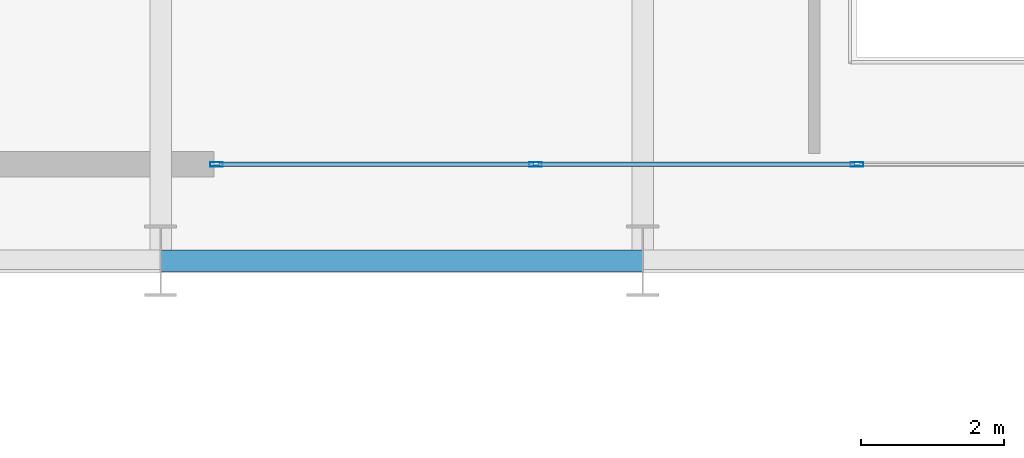
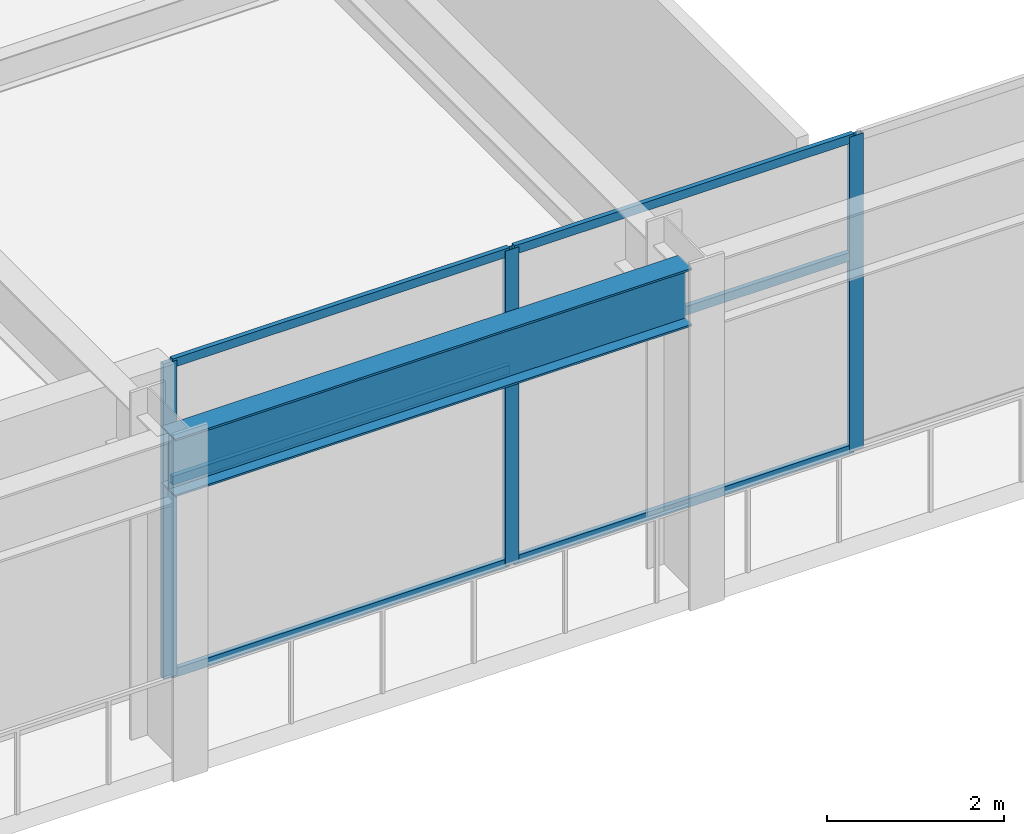
# One storey, part 4 of 35: 9 members, 1 beam, 1 element without a shape of its own.
"""IFC4 building model written with IfcOpenShell, lengths in metres."""

from ifc_helpers import new_model, si_unit, direction, frame, origin, origin_2d, place, context, subcontext, project, spatial, hollow_rectangle, i_section, extrude, material, layer, layer_set, material_profile, profile_set, type_object, element, aggregate, save


model = new_model("IFC4")

# Units and contexts
model_context = context("Model", 3, precision=1e-05, world=origin(), true_north=direction((0.0, 1.0)))
body_context = subcontext(model_context, "Body", "Model", "MODEL_VIEW")
ifc_project = project(units=[si_unit("LENGTHUNIT", "METRE"), si_unit("AREAUNIT", "SQUARE_METRE"), si_unit("VOLUMEUNIT", "CUBIC_METRE"), si_unit("PLANEANGLEUNIT", "RADIAN"), si_unit("MASSUNIT", "GRAM", prefix="KILO")], contexts=[model_context])

# Site, building, storey
site_placement = place(None, origin())
site = spatial("IfcSite", under=ifc_project, at=site_placement, CompositionType="ELEMENT")
building_placement = place(site_placement, origin())
building = spatial("IfcBuilding", under=site, at=building_placement, Name="Haevon Station Towers", CompositionType="ELEMENT")
storey_placement = place(building_placement, frame((0.0, 0.0, 20.39990234375)))
storey = spatial("IfcBuildingStorey", under=building, at=storey_placement, Name="L04", CompositionType="ELEMENT", Elevation=20.39990234375)

# Beam
ifc_material_1 = material(Name="Steel S355", Category="steel")
ifc_material_profile_1 = material_profile(ifc_material_1, i_section(OverallWidth=0.300048828125, OverallDepth=0.800048828125, WebThickness=0.013916015625, FlangeThickness=0.02587890625, at=origin_2d()), Name="H-800x300x14x26")
ifc_profile_set_1 = profile_set([ifc_material_profile_1], Name="Steel S355")
beam_type = type_object("IfcBeamType", Name="BM-PG800", PredefinedType="BEAM", material=ifc_profile_set_1)
beam_placement = place(storey_placement, frame((44.25, 15.14990234375, 4.050048828125), z_axis=(1.0, 0.0, 0.0), x_axis=(0.0, 1.0, 0.0)))
element("IfcBeam", 1, at=beam_placement, inside=storey, type_object=beam_type, Name="BM-T1X-L04-01-05", PredefinedType="BEAM", context=body_context, shape_type="SweptSolid", body=[
    extrude(i_section(OverallWidth=0.300048828125, OverallDepth=0.800048828125, WebThickness=0.013916015625, FlangeThickness=0.02587890625, at=origin_2d()), origin(), (0.0, 0.0, 1.0), 6.75),
])

# Curtain wall, members
ifc_material_2 = material(Name="Anodised aluminium and Low-E double glazing", Category="aluminium")
ifc_layer = layer(ifc_material_2, 0.179931640625)
ifc_layer_set = layer_set([ifc_layer], Name="Anodised aluminium and Low-E double glazing")
curtain_wall_type = type_object("IfcCurtainWallType", Name="CW-SYS2", PredefinedType="NOTDEFINED", material=ifc_layer_set)
curtain_wall_placement = place(storey_placement, origin())
curtain_wall = element("IfcCurtainWall", 2, at=curtain_wall_placement, inside=storey, type_object=curtain_wall_type, Name="L04 Curtain Wall CW-POD-L04-S2", PredefinedType="NOTDEFINED")
ifc_material_3 = material(Name="Anodised aluminium 6063-T6", Category="aluminium")
ifc_material_profile_2 = material_profile(ifc_material_3, hollow_rectangle(XDim=0.06494140625, YDim=0.179931640625, WallThickness=0.00390625, at=origin_2d()), Name="CWM-180x65x4")
ifc_profile_set_2 = profile_set([ifc_material_profile_2], Name="Anodised aluminium 6063-T6")
member_type_1 = type_object("IfcMemberType", Name="CWM-180", PredefinedType="MULLION", material=ifc_profile_set_2)
member_1_placement = place(storey_placement, frame((54.0, 16.5, 0.0), z_axis=(0.0, 0.0, 1.0), x_axis=(0.0, -1.0, 0.0)))
member_1 = element("IfcMember", 3, at=member_1_placement, type_object=member_type_1, Name="CW-SYS2 mullion 2", PredefinedType="MULLION", context=body_context, shape_type="SweptSolid", body=[
    extrude(hollow_rectangle(XDim=0.06494140625, YDim=0.179931640625, WallThickness=0.00390625, at=origin_2d()), origin(), (0.0, 0.0, 1.0), 4.35009765625),
])
member_2_placement = place(storey_placement, frame((49.5, 16.5, 0.0), z_axis=(0.0, 0.0, 1.0), x_axis=(0.0, -1.0, 0.0)))
member_2 = element("IfcMember", 4, at=member_2_placement, type_object=member_type_1, Name="CW-SYS2 mullion 3", PredefinedType="MULLION", context=body_context, shape_type="SweptSolid", body=[
    extrude(hollow_rectangle(XDim=0.06494140625, YDim=0.179931640625, WallThickness=0.00390625, at=origin_2d()), origin(), (0.0, 0.0, 1.0), 4.35009765625),
])
member_3_placement = place(storey_placement, frame((45.032470703125, 16.5, 0.0), z_axis=(0.0, 0.0, 1.0), x_axis=(0.0, -1.0, 0.0)))
member_3 = element("IfcMember", 5, at=member_3_placement, type_object=member_type_1, Name="CW-SYS2 mullion 4", PredefinedType="MULLION", context=body_context, shape_type="SweptSolid", body=[
    extrude(hollow_rectangle(XDim=0.06494140625, YDim=0.179931640625, WallThickness=0.00390625, at=origin_2d()), origin(), (0.0, 0.0, 1.0), 4.35009765625),
])
ifc_material_profile_3 = material_profile(ifc_material_3, hollow_rectangle(XDim=0.06005859375, YDim=0.1201171875, WallThickness=0.0029296875, at=origin_2d()), Name="CWT-120x60x3")
ifc_profile_set_3 = profile_set([ifc_material_profile_3], Name="Anodised aluminium 6063-T6")
member_type_2 = type_object("IfcMemberType", Name="CWT-120", PredefinedType="USERDEFINED", material=ifc_profile_set_3)
member_4_placement = place(storey_placement, frame((53.967529296875, 16.5, 0.030029296875), z_axis=(-1.0, 0.0, 0.0), x_axis=(0.0, -1.0, 0.0)))
member_4 = element("IfcMember", 6, at=member_4_placement, type_object=member_type_2, Name="CW-SYS2 transom 2.1", ObjectType="TRANSOM", PredefinedType="USERDEFINED", context=body_context, shape_type="SweptSolid", body=[
    extrude(hollow_rectangle(XDim=0.06005859375, YDim=0.1201171875, WallThickness=0.0029296875, at=origin_2d()), origin(), (0.0, 0.0, 1.0), 4.43505859375),
])
member_5_placement = place(storey_placement, frame((53.967529296875, 16.5, 2.697021484375), z_axis=(-1.0, 0.0, 0.0), x_axis=(0.0, -1.0, 0.0)))
member_5 = element("IfcMember", 7, at=member_5_placement, type_object=member_type_2, Name="CW-SYS2 transom 2.2", ObjectType="TRANSOM", PredefinedType="USERDEFINED", context=body_context, shape_type="SweptSolid", body=[
    extrude(hollow_rectangle(XDim=0.06005859375, YDim=0.1201171875, WallThickness=0.0029296875, at=origin_2d()), origin(), (0.0, 0.0, 1.0), 4.43505859375),
])
member_6_placement = place(storey_placement, frame((53.967529296875, 16.5, 4.320068359375), z_axis=(-1.0, 0.0, 0.0), x_axis=(0.0, -1.0, 0.0)))
member_6 = element("IfcMember", 8, at=member_6_placement, type_object=member_type_2, Name="CW-SYS2 transom 2.3", ObjectType="TRANSOM", PredefinedType="USERDEFINED", context=body_context, shape_type="SweptSolid", body=[
    extrude(hollow_rectangle(XDim=0.06005859375, YDim=0.1201171875, WallThickness=0.0029296875, at=origin_2d()), origin(), (0.0, 0.0, 1.0), 4.43505859375),
])
member_7_placement = place(storey_placement, frame((49.467529296875, 16.5, 0.030029296875), z_axis=(-1.0, 0.0, 0.0), x_axis=(0.0, -1.0, 0.0)))
member_7 = element("IfcMember", 9, at=member_7_placement, type_object=member_type_2, Name="CW-SYS2 transom 3.1", ObjectType="TRANSOM", PredefinedType="USERDEFINED", context=body_context, shape_type="SweptSolid", body=[
    extrude(hollow_rectangle(XDim=0.06005859375, YDim=0.1201171875, WallThickness=0.0029296875, at=origin_2d()), origin(), (0.0, 0.0, 1.0), 4.402587890625),
])
member_8_placement = place(storey_placement, frame((49.467529296875, 16.5, 2.697021484375), z_axis=(-1.0, 0.0, 0.0), x_axis=(0.0, -1.0, 0.0)))
member_8 = element("IfcMember", 10, at=member_8_placement, type_object=member_type_2, Name="CW-SYS2 transom 3.2", ObjectType="TRANSOM", PredefinedType="USERDEFINED", context=body_context, shape_type="SweptSolid", body=[
    extrude(hollow_rectangle(XDim=0.06005859375, YDim=0.1201171875, WallThickness=0.0029296875, at=origin_2d()), origin(), (0.0, 0.0, 1.0), 4.402587890625),
])
member_9_placement = place(storey_placement, frame((49.467529296875, 16.5, 4.320068359375), z_axis=(-1.0, 0.0, 0.0), x_axis=(0.0, -1.0, 0.0)))
member_9 = element("IfcMember", 11, at=member_9_placement, type_object=member_type_2, Name="CW-SYS2 transom 3.3", ObjectType="TRANSOM", PredefinedType="USERDEFINED", context=body_context, shape_type="SweptSolid", body=[
    extrude(hollow_rectangle(XDim=0.06005859375, YDim=0.1201171875, WallThickness=0.0029296875, at=origin_2d()), origin(), (0.0, 0.0, 1.0), 4.402587890625),
])
aggregate(curtain_wall, [member_1, member_2, member_3, member_4, member_5, member_6, member_7, member_8, member_9])

save(model, "model.ifc")
